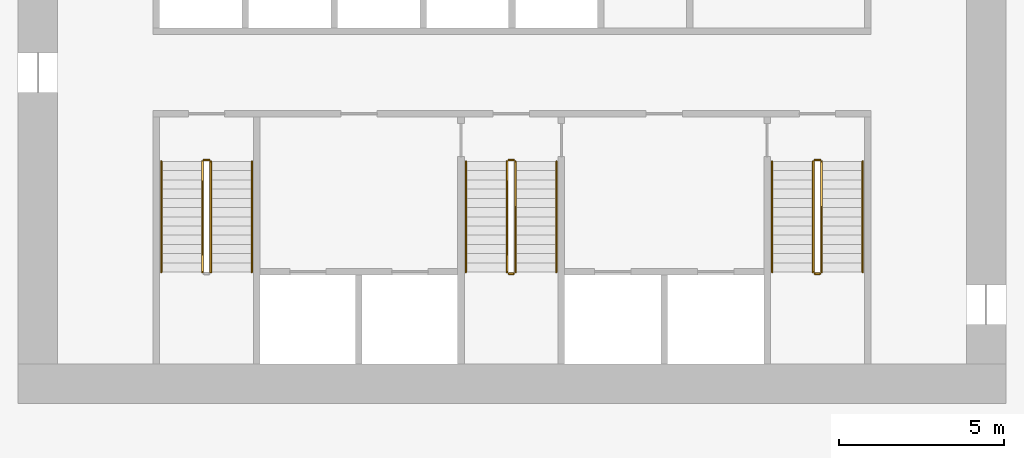
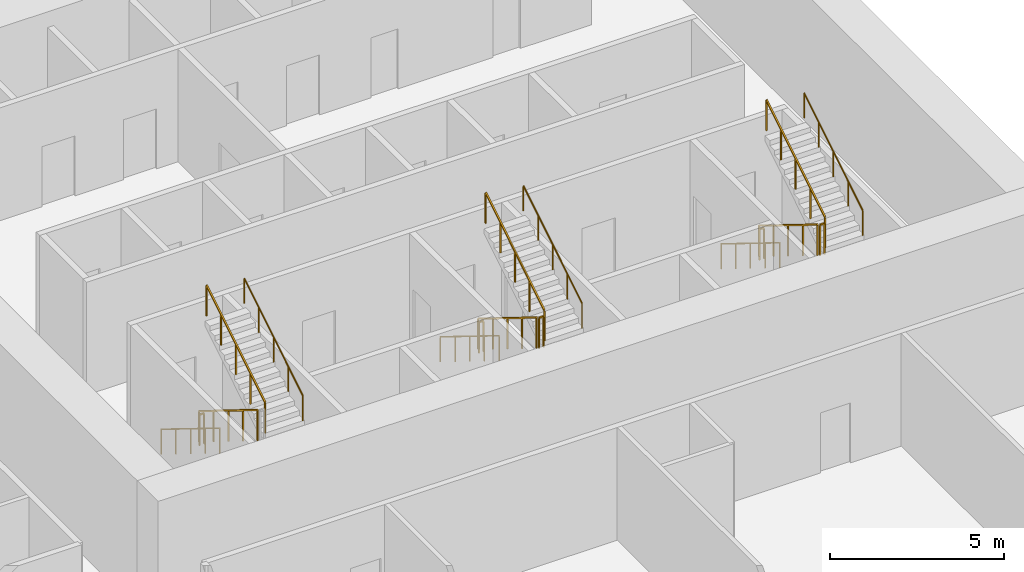
# One storey, part 11 of 12: 17 railings.
"""IFC4 building model written with IfcOpenShell, lengths in metres."""

import ifcopenshell
import ifcopenshell.guid

model = None  # the IFC model being written
_history = None  # IfcOwnerHistory: only IFC2X3 demands one
_inside = {}  # id of a spatial element -> (the spatial element, [elements in it])
_under = {}  # id of a project, library or spatial element -> (it, [spatial elements below it])
_declared = {}  # id of a project -> (the project, [libraries it declares])
_typed = {}  # id of a type object -> (the type object, [elements of that type])
_made_of = {}  # id of a material, layer set ... -> (it, [elements and type objects made of it])


def new_model(schema):
    """Start an empty IFC model of exactly this schema.

    Asked for "IFC4X3", IfcOpenShell would pick the latest addendum, in which some entities
    have other attributes; the version numbers below select the first issue.
    IFC2X3 requires an IfcOwnerHistory on every rooted entity: one is made here for all.
    """
    global model, _history
    if schema == "IFC4X3":
        model = ifcopenshell.file(schema_version=(4, 3, 0, 0))
    else:
        model = ifcopenshell.file(schema=schema)
    _inside.clear()
    _under.clear()
    _declared.clear()
    _typed.clear()
    _made_of.clear()
    _history = None
    if model.schema == "IFC2X3":
        org = make("IfcOrganization", Name="unknown")
        user = make(
            "IfcPersonAndOrganization",
            ThePerson=make("IfcPerson", FamilyName="unknown"),
            TheOrganization=org,
        )
        app = make(
            "IfcApplication",
            ApplicationDeveloper=org,
            Version="unknown",
            ApplicationFullName="unknown",
            ApplicationIdentifier="unknown",
        )
        _history = make(
            "IfcOwnerHistory",
            OwningUser=user,
            OwningApplication=app,
            ChangeAction="ADDED",
            CreationDate=0,
        )
    return model


def make(cls, **values):
    """One entity of the class cls with the attributes given. An attribute that is None is left unset."""
    return model.create_entity(
        cls, **{name: value for name, value in values.items() if value is not None}
    )


def rooted(cls, **values):
    """An entity with a GlobalId (a new one), such as an element, a storey or a relation."""
    return make(cls, GlobalId=ifcopenshell.guid.new(), OwnerHistory=_history, **values)


def si_unit(unit_type, name, prefix=None):
    """IfcSIUnit, for example si_unit("LENGTHUNIT", "METRE", prefix="MILLI")."""
    return make("IfcSIUnit", UnitType=unit_type, Prefix=prefix, Name=name)


def assignment(units):
    """IfcUnitAssignment: the units of a project."""
    return None if units is None else make("IfcUnitAssignment", Units=units)


def point(xyz):
    """IfcCartesianPoint."""
    return None if xyz is None else make("IfcCartesianPoint", Coordinates=xyz)


def direction(xyz):
    """IfcDirection."""
    return None if xyz is None else make("IfcDirection", DirectionRatios=xyz)


def frame(location, z_axis=None, x_axis=None):
    """IfcAxis2Placement3D, a coordinate frame: its origin and axes. An axis left out is left unset."""
    return make(
        "IfcAxis2Placement3D",
        Location=point(location),
        Axis=direction(z_axis),
        RefDirection=direction(x_axis),
    )


def frame_2d(location, x_axis=None):
    """IfcAxis2Placement2D, a coordinate frame in the plane: its origin and x axis."""
    return make(
        "IfcAxis2Placement2D", Location=point(location), RefDirection=direction(x_axis)
    )


def origin():
    """The frame at (0, 0, 0) with its axes left unset."""
    return frame((0.0, 0.0, 0.0))


def origin_2d():
    """The frame at (0, 0) in the plane with its x axis left unset."""
    return frame_2d((0.0, 0.0))


def place(relative_to, where):
    """IfcLocalPlacement: puts the frame where relative to a parent placement (None: the world)."""
    return make(
        "IfcLocalPlacement", PlacementRelTo=relative_to, RelativePlacement=where
    )


def context(
    kind, dimensions, precision=None, world=None, true_north=None, identifier=None
):
    """IfcGeometricRepresentationContext, for example the 3D "Model" context."""
    return make(
        "IfcGeometricRepresentationContext",
        ContextIdentifier=identifier,
        ContextType=kind,
        CoordinateSpaceDimension=dimensions,
        Precision=precision,
        WorldCoordinateSystem=world,
        TrueNorth=true_north,
    )


def subcontext(parent, identifier, kind, view, scale=None):
    """IfcGeometricRepresentationSubContext, for example "Body" below "Model"."""
    return make(
        "IfcGeometricRepresentationSubContext",
        ContextIdentifier=identifier,
        ContextType=kind,
        ParentContext=parent,
        TargetScale=scale,
        TargetView=view,
    )


def project(units=None, contexts=None):
    """IfcProject with its units and contexts."""
    return rooted(
        "IfcProject",
        Name="project",
        RepresentationContexts=contexts,
        UnitsInContext=assignment(units),
    )


def spatial(cls, under=None, at=None, **own):
    """A site, building, storey or space (cls), placed at a placement, below another one or the project."""
    s = rooted(cls, ObjectPlacement=at, **own)
    if under is not None:
        _under.setdefault(under.id(), (under, []))[1].append(s)
    return s


def profile(cls, at=None, kind="AREA", **sizes):
    """A parametric profile (cls). Its sizes go by their IFC names, for example OverallWidth=200.0."""
    return make(cls, ProfileType=kind, Position=at, **sizes)


def rectangle(**sizes):
    """IfcRectangleProfileDef."""
    return profile("IfcRectangleProfileDef", **sizes)


def circle(**sizes):
    """IfcCircleProfileDef."""
    return profile("IfcCircleProfileDef", **sizes)


def extrude(swept, where, along, depth):
    """IfcExtrudedAreaSolid: the profile swept, set in the frame where, extruded along a direction by depth."""
    return make(
        "IfcExtrudedAreaSolid",
        SweptArea=swept,
        Position=where,
        ExtrudedDirection=direction(along),
        Depth=depth,
    )


def shape(context_of_items, identifier, shape_type, items):
    """IfcShapeRepresentation: the items that make up one representation, for example the "Body"."""
    return make(
        "IfcShapeRepresentation",
        ContextOfItems=context_of_items,
        RepresentationIdentifier=identifier,
        RepresentationType=shape_type,
        Items=items,
    )


def material(Name=None, Category=None):
    """IfcMaterial."""
    return make("IfcMaterial", Name=Name, Category=Category)


def made_of(thing, what):
    """Note that an element or type object is made of a material, layer set ...; save() writes the relation."""
    if what is not None:
        _made_of.setdefault(what.id(), (what, []))[1].append(thing)
    return thing


def type_object(cls, material=None, **own):
    """A type object (cls), such as IfcWallType, which elements share."""
    return made_of(rooted(cls, **own), material)


def element(
    cls,
    number,
    at=None,
    inside=None,
    cuts=None,
    type_object=None,
    material=None,
    context=None,
    identifier="Body",
    shape_type=None,
    held_by="IfcProductDefinitionShape",
    body=None,
    shapes=None,
    **own,
):
    """One element of the class cls, such as IfcWall. Its Tag is "e" and its number.

    at: its placement. inside: the storey or other place that contains it. cuts: it is an
    opening in that element (IfcRelVoidsElement). A single representation is given by context,
    identifier, shape_type and body (its items); several are given by shapes. held_by: the class
    of the entity that holds the representations. save() writes the other relations.
    """
    e = rooted(cls, Tag="e%d" % number, ObjectPlacement=at, **own)
    if body is not None:
        shapes = [shape(context, identifier, shape_type, body)]
    if shapes is not None:
        e.Representation = make(held_by, Representations=shapes)
    if inside is not None:
        _inside.setdefault(inside.id(), (inside, []))[1].append(e)
    if cuts is not None:
        rooted(
            "IfcRelVoidsElement", RelatingBuildingElement=cuts, RelatedOpeningElement=e
        )
    if type_object is not None:
        _typed.setdefault(type_object.id(), (type_object, []))[1].append(e)
    return made_of(e, material)


def aggregate(whole, parts):
    """IfcRelAggregates: a whole, such as a stair, and the parts it consists of."""
    return rooted("IfcRelAggregates", RelatingObject=whole, RelatedObjects=parts)


def save(model, path):
    """Write the relations noted so far, then the file.

    IfcRelAggregates (storeys below a building ...), IfcRelContainedInSpatialStructure (elements
    in a storey), IfcRelDefinesByType, IfcRelAssociatesMaterial and IfcRelDeclares: one each for
    every whole, place, type object, material and project.
    """
    for whole, parts in _under.values():
        aggregate(whole, parts)
    for where, things in _inside.values():
        rooted(
            "IfcRelContainedInSpatialStructure",
            RelatedElements=things,
            RelatingStructure=where,
        )
    for kind, things in _typed.values():
        rooted("IfcRelDefinesByType", RelatedObjects=things, RelatingType=kind)
    for what, things in _made_of.values():
        rooted("IfcRelAssociatesMaterial", RelatedObjects=things, RelatingMaterial=what)
    for by, libraries in _declared.values():
        rooted("IfcRelDeclares", RelatingContext=by, RelatedDefinitions=libraries)
    model.write(path)


model = new_model("IFC4")

# Units and contexts
model_context = context("Model", 3, precision=1e-05, world=origin(), true_north=direction((0.0, 1.0)))
body_context = subcontext(model_context, "Body", "Model", "MODEL_VIEW")
ifc_project = project(units=[si_unit("LENGTHUNIT", "METRE"), si_unit("AREAUNIT", "SQUARE_METRE"), si_unit("VOLUMEUNIT", "CUBIC_METRE"), si_unit("PLANEANGLEUNIT", "RADIAN"), si_unit("MASSUNIT", "GRAM", prefix="KILO")], contexts=[model_context])

# Site, building, storey
site_placement = place(None, origin())
site = spatial("IfcSite", under=ifc_project, at=site_placement, CompositionType="ELEMENT")
building_placement = place(site_placement, origin())
building = spatial("IfcBuilding", under=site, at=building_placement, Name="Mangrove Gate Tower", CompositionType="ELEMENT")
storey_placement = place(building_placement, frame((0.0, 0.0, 25.0)))
storey = spatial("IfcBuildingStorey", under=building, at=storey_placement, Name="L05", CompositionType="ELEMENT", Elevation=25.0)

# Railings
ifc_material_1 = material(Name="Stainless steel 316", Category="steel")
railing_type_1 = type_object("IfcRailingType", Name="Core stair guard 1100", PredefinedType="GUARDRAIL", material=ifc_material_1)
railing_1_placement = place(storey_placement, frame((-9.39990234375, -4.64990234375, 0.173095703125)))
element("IfcRailing", 1, at=railing_1_placement, inside=storey, type_object=railing_type_1, Name="L05 ST1 stair guard 1", PredefinedType="GUARDRAIL", context=body_context, shape_type="SweptSolid", body=[
    extrude(rectangle(XDim=0.048095703125, YDim=0.048095703125, at=origin_2d()), frame((0.0, 0.0, 1.076171875), z_axis=(0.0, -0.850623216509, 0.525775754039), x_axis=(1.0, 0.0, 0.0)), (0.0, 0.0, 1.0), 3.9501953125),
    extrude(rectangle(XDim=0.0419921875, YDim=0.0419921875, at=origin_2d()), origin(), (0.0, 0.0, 1.0), 1.052001953125),
    extrude(rectangle(XDim=0.0419921875, YDim=0.0419921875, at=origin_2d()), frame((0.0, -0.840087890625, 0.519287109375)), (0.0, 0.0, 1.0), 1.052001953125),
    extrude(rectangle(XDim=0.0419921875, YDim=0.0419921875, at=origin_2d()), frame((0.0, -1.68017578125, 1.03857421875)), (0.0, 0.0, 1.0), 1.052001953125),
    extrude(rectangle(XDim=0.0419921875, YDim=0.0419921875, at=origin_2d()), frame((0.0, -2.52001953125, 1.5576171875)), (0.0, 0.0, 1.0), 1.052001953125),
    extrude(rectangle(XDim=0.0419921875, YDim=0.0419921875, at=origin_2d()), frame((0.0, -3.360107421875, 2.076904296875)), (0.0, 0.0, 1.0), 1.052001953125),
])
railing_2_placement = place(storey_placement, frame((-9.14990234375, -8.010009765625, 2.423095703125)))
element("IfcRailing", 2, at=railing_2_placement, inside=storey, type_object=railing_type_1, Name="L05 ST1 stair guard 3", PredefinedType="GUARDRAIL", context=body_context, shape_type="SweptSolid", body=[
    extrude(rectangle(XDim=0.048095703125, YDim=0.048095703125, at=origin_2d()), frame((0.0, 0.0, 1.076171875), z_axis=(0.0, 0.850623216509, 0.525775754039), x_axis=(-1.0, 0.0, 0.0)), (0.0, 0.0, 1.0), 3.9501953125),
    extrude(rectangle(XDim=0.0419921875, YDim=0.0419921875, at=origin_2d()), origin(), (0.0, 0.0, 1.0), 1.052001953125),
    extrude(rectangle(XDim=0.0419921875, YDim=0.0419921875, at=origin_2d()), frame((0.0, 0.840087890625, 0.519287109375)), (0.0, 0.0, 1.0), 1.052001953125),
    extrude(rectangle(XDim=0.0419921875, YDim=0.0419921875, at=origin_2d()), frame((0.0, 1.68017578125, 1.03857421875)), (0.0, 0.0, 1.0), 1.052001953125),
    extrude(rectangle(XDim=0.0419921875, YDim=0.0419921875, at=origin_2d()), frame((0.0, 2.52001953125, 1.5576171875)), (0.0, 0.0, 1.0), 1.052001953125),
    extrude(rectangle(XDim=0.0419921875, YDim=0.0419921875, at=origin_2d()), frame((0.0, 3.360107421875, 2.076904296875)), (0.0, 0.0, 1.0), 1.052001953125),
])
railing_3_placement = place(storey_placement, frame((-9.35009765625, -4.60009765625, 0.0)))
element("IfcRailing", 3, at=railing_3_placement, inside=storey, type_object=railing_type_1, Name="L05 ST1 stair guard 4", PredefinedType="GUARDRAIL", context=body_context, shape_type="SweptSolid", body=[
    extrude(rectangle(XDim=0.048095703125, YDim=0.048095703125, at=origin_2d()), frame((0.0, 0.0, 1.076171875), z_axis=(1.0, 0.0, 0.0), x_axis=(0.0, 1.0, 0.0)), (0.0, 0.0, 1.0), 0.150146484375),
    extrude(rectangle(XDim=0.0419921875, YDim=0.0419921875, at=origin_2d()), origin(), (0.0, 0.0, 1.0), 1.052001953125),
    extrude(rectangle(XDim=0.0419921875, YDim=0.0419921875, at=origin_2d()), frame((0.150146484375, 0.0, 0.0)), (0.0, 0.0, 1.0), 1.052001953125),
])
railing_4_placement = place(storey_placement, frame((-0.14990234375, -4.64990234375, 0.173095703125)))
element("IfcRailing", 4, at=railing_4_placement, inside=storey, type_object=railing_type_1, Name="L05 ST2 stair guard 1", PredefinedType="GUARDRAIL", context=body_context, shape_type="SweptSolid", body=[
    extrude(rectangle(XDim=0.048095703125, YDim=0.048095703125, at=origin_2d()), frame((0.0, 0.0, 1.076171875), z_axis=(0.0, -0.850623216509, 0.525775754039), x_axis=(1.0, 0.0, 0.0)), (0.0, 0.0, 1.0), 3.9501953125),
    extrude(rectangle(XDim=0.0419921875, YDim=0.0419921875, at=origin_2d()), origin(), (0.0, 0.0, 1.0), 1.052001953125),
    extrude(rectangle(XDim=0.0419921875, YDim=0.0419921875, at=origin_2d()), frame((0.0, -0.840087890625, 0.519287109375)), (0.0, 0.0, 1.0), 1.052001953125),
    extrude(rectangle(XDim=0.0419921875, YDim=0.0419921875, at=origin_2d()), frame((0.0, -1.68017578125, 1.03857421875)), (0.0, 0.0, 1.0), 1.052001953125),
    extrude(rectangle(XDim=0.0419921875, YDim=0.0419921875, at=origin_2d()), frame((0.0, -2.52001953125, 1.5576171875)), (0.0, 0.0, 1.0), 1.052001953125),
    extrude(rectangle(XDim=0.0419921875, YDim=0.0419921875, at=origin_2d()), frame((0.0, -3.360107421875, 2.076904296875)), (0.0, 0.0, 1.0), 1.052001953125),
])
railing_5_placement = place(storey_placement, frame((-0.10009765625, -8.06005859375, 2.25)))
element("IfcRailing", 5, at=railing_5_placement, inside=storey, type_object=railing_type_1, Name="L05 ST2 stair guard 2", PredefinedType="GUARDRAIL", context=body_context, shape_type="SweptSolid", body=[
    extrude(rectangle(XDim=0.048095703125, YDim=0.048095703125, at=origin_2d()), frame((0.0, 0.0, 1.076171875), z_axis=(1.0, 0.0, 0.0), x_axis=(0.0, 1.0, 0.0)), (0.0, 0.0, 1.0), 0.150146484375),
    extrude(rectangle(XDim=0.0419921875, YDim=0.0419921875, at=origin_2d()), origin(), (0.0, 0.0, 1.0), 1.052001953125),
    extrude(rectangle(XDim=0.0419921875, YDim=0.0419921875, at=origin_2d()), frame((0.150146484375, 0.0, 0.0)), (0.0, 0.0, 1.0), 1.052001953125),
])
railing_6_placement = place(storey_placement, frame((0.10009765625, -8.010009765625, 2.423095703125)))
element("IfcRailing", 6, at=railing_6_placement, inside=storey, type_object=railing_type_1, Name="L05 ST2 stair guard 3", PredefinedType="GUARDRAIL", context=body_context, shape_type="SweptSolid", body=[
    extrude(rectangle(XDim=0.048095703125, YDim=0.048095703125, at=origin_2d()), frame((0.0, 0.0, 1.076171875), z_axis=(0.0, 0.850623216509, 0.525775754039), x_axis=(-1.0, 0.0, 0.0)), (0.0, 0.0, 1.0), 3.9501953125),
    extrude(rectangle(XDim=0.0419921875, YDim=0.0419921875, at=origin_2d()), origin(), (0.0, 0.0, 1.0), 1.052001953125),
    extrude(rectangle(XDim=0.0419921875, YDim=0.0419921875, at=origin_2d()), frame((0.0, 0.840087890625, 0.519287109375)), (0.0, 0.0, 1.0), 1.052001953125),
    extrude(rectangle(XDim=0.0419921875, YDim=0.0419921875, at=origin_2d()), frame((0.0, 1.68017578125, 1.03857421875)), (0.0, 0.0, 1.0), 1.052001953125),
    extrude(rectangle(XDim=0.0419921875, YDim=0.0419921875, at=origin_2d()), frame((0.0, 2.52001953125, 1.5576171875)), (0.0, 0.0, 1.0), 1.052001953125),
    extrude(rectangle(XDim=0.0419921875, YDim=0.0419921875, at=origin_2d()), frame((0.0, 3.360107421875, 2.076904296875)), (0.0, 0.0, 1.0), 1.052001953125),
])
railing_7_placement = place(storey_placement, frame((-0.10009765625, -4.60009765625, 0.0)))
element("IfcRailing", 7, at=railing_7_placement, inside=storey, type_object=railing_type_1, Name="L05 ST2 stair guard 4", PredefinedType="GUARDRAIL", context=body_context, shape_type="SweptSolid", body=[
    extrude(rectangle(XDim=0.048095703125, YDim=0.048095703125, at=origin_2d()), frame((0.0, 0.0, 1.076171875), z_axis=(1.0, 0.0, 0.0), x_axis=(0.0, 1.0, 0.0)), (0.0, 0.0, 1.0), 0.150146484375),
    extrude(rectangle(XDim=0.0419921875, YDim=0.0419921875, at=origin_2d()), origin(), (0.0, 0.0, 1.0), 1.052001953125),
    extrude(rectangle(XDim=0.0419921875, YDim=0.0419921875, at=origin_2d()), frame((0.150146484375, 0.0, 0.0)), (0.0, 0.0, 1.0), 1.052001953125),
])
railing_8_placement = place(storey_placement, frame((9.14990234375, -4.64990234375, 0.173095703125)))
element("IfcRailing", 8, at=railing_8_placement, inside=storey, type_object=railing_type_1, Name="L05 ST3 stair guard 1", PredefinedType="GUARDRAIL", context=body_context, shape_type="SweptSolid", body=[
    extrude(rectangle(XDim=0.048095703125, YDim=0.048095703125, at=origin_2d()), frame((0.0, 0.0, 1.076171875), z_axis=(0.0, -0.850623216509, 0.525775754039), x_axis=(1.0, 0.0, 0.0)), (0.0, 0.0, 1.0), 3.9501953125),
    extrude(rectangle(XDim=0.0419921875, YDim=0.0419921875, at=origin_2d()), origin(), (0.0, 0.0, 1.0), 1.052001953125),
    extrude(rectangle(XDim=0.0419921875, YDim=0.0419921875, at=origin_2d()), frame((0.0, -0.840087890625, 0.519287109375)), (0.0, 0.0, 1.0), 1.052001953125),
    extrude(rectangle(XDim=0.0419921875, YDim=0.0419921875, at=origin_2d()), frame((0.0, -1.68017578125, 1.03857421875)), (0.0, 0.0, 1.0), 1.052001953125),
    extrude(rectangle(XDim=0.0419921875, YDim=0.0419921875, at=origin_2d()), frame((0.0, -2.52001953125, 1.5576171875)), (0.0, 0.0, 1.0), 1.052001953125),
    extrude(rectangle(XDim=0.0419921875, YDim=0.0419921875, at=origin_2d()), frame((0.0, -3.360107421875, 2.076904296875)), (0.0, 0.0, 1.0), 1.052001953125),
])
railing_9_placement = place(storey_placement, frame((9.199951171875, -8.06005859375, 2.25)))
element("IfcRailing", 9, at=railing_9_placement, inside=storey, type_object=railing_type_1, Name="L05 ST3 stair guard 2", PredefinedType="GUARDRAIL", context=body_context, shape_type="SweptSolid", body=[
    extrude(rectangle(XDim=0.048095703125, YDim=0.048095703125, at=origin_2d()), frame((0.0, 0.0, 1.076171875), z_axis=(1.0, 0.0, 0.0), x_axis=(0.0, 1.0, 0.0)), (0.0, 0.0, 1.0), 0.150146484375),
    extrude(rectangle(XDim=0.0419921875, YDim=0.0419921875, at=origin_2d()), origin(), (0.0, 0.0, 1.0), 1.052001953125),
    extrude(rectangle(XDim=0.0419921875, YDim=0.0419921875, at=origin_2d()), frame((0.150146484375, 0.0, 0.0)), (0.0, 0.0, 1.0), 1.052001953125),
])
railing_10_placement = place(storey_placement, frame((9.39990234375, -8.010009765625, 2.423095703125)))
element("IfcRailing", 10, at=railing_10_placement, inside=storey, type_object=railing_type_1, Name="L05 ST3 stair guard 3", PredefinedType="GUARDRAIL", context=body_context, shape_type="SweptSolid", body=[
    extrude(rectangle(XDim=0.048095703125, YDim=0.048095703125, at=origin_2d()), frame((0.0, 0.0, 1.076171875), z_axis=(0.0, 0.850623216509, 0.525775754039), x_axis=(-1.0, 0.0, 0.0)), (0.0, 0.0, 1.0), 3.9501953125),
    extrude(rectangle(XDim=0.0419921875, YDim=0.0419921875, at=origin_2d()), origin(), (0.0, 0.0, 1.0), 1.052001953125),
    extrude(rectangle(XDim=0.0419921875, YDim=0.0419921875, at=origin_2d()), frame((0.0, 0.840087890625, 0.519287109375)), (0.0, 0.0, 1.0), 1.052001953125),
    extrude(rectangle(XDim=0.0419921875, YDim=0.0419921875, at=origin_2d()), frame((0.0, 1.68017578125, 1.03857421875)), (0.0, 0.0, 1.0), 1.052001953125),
    extrude(rectangle(XDim=0.0419921875, YDim=0.0419921875, at=origin_2d()), frame((0.0, 2.52001953125, 1.5576171875)), (0.0, 0.0, 1.0), 1.052001953125),
    extrude(rectangle(XDim=0.0419921875, YDim=0.0419921875, at=origin_2d()), frame((0.0, 3.360107421875, 2.076904296875)), (0.0, 0.0, 1.0), 1.052001953125),
])
railing_11_placement = place(storey_placement, frame((9.199951171875, -4.60009765625, 0.0)))
element("IfcRailing", 11, at=railing_11_placement, inside=storey, type_object=railing_type_1, Name="L05 ST3 stair guard 4", PredefinedType="GUARDRAIL", context=body_context, shape_type="SweptSolid", body=[
    extrude(rectangle(XDim=0.048095703125, YDim=0.048095703125, at=origin_2d()), frame((0.0, 0.0, 1.076171875), z_axis=(1.0, 0.0, 0.0), x_axis=(0.0, 1.0, 0.0)), (0.0, 0.0, 1.0), 0.150146484375),
    extrude(rectangle(XDim=0.0419921875, YDim=0.0419921875, at=origin_2d()), origin(), (0.0, 0.0, 1.0), 1.052001953125),
    extrude(rectangle(XDim=0.0419921875, YDim=0.0419921875, at=origin_2d()), frame((0.150146484375, 0.0, 0.0)), (0.0, 0.0, 1.0), 1.052001953125),
])
ifc_material_2 = material(Name="Stainless steel 316", Category="steel")
railing_type_2 = type_object("IfcRailingType", Name="Core stair handrail 900", PredefinedType="HANDRAIL", material=ifc_material_2)
railing_12_placement = place(storey_placement, frame((-10.64990234375, -4.64990234375, 0.173095703125)))
element("IfcRailing", 12, at=railing_12_placement, inside=storey, type_object=railing_type_2, Name="L05 ST1 stair handrail 1", PredefinedType="HANDRAIL", context=body_context, shape_type="SweptSolid", body=[
    extrude(circle(Radius=0.02392578125, at=origin_2d()), frame((0.0, 0.0, 0.8759765625), z_axis=(0.0, -0.850623216509, 0.525775754039), x_axis=(1.0, 0.0, 0.0)), (0.0, 0.0, 1.0), 3.9501953125),
    extrude(circle(Radius=0.02099609375, at=origin_2d()), origin(), (0.0, 0.0, 1.0), 0.851806640625),
    extrude(circle(Radius=0.02099609375, at=origin_2d()), frame((0.0, -0.840087890625, 0.519287109375)), (0.0, 0.0, 1.0), 0.851806640625),
    extrude(circle(Radius=0.02099609375, at=origin_2d()), frame((0.0, -1.68017578125, 1.03857421875)), (0.0, 0.0, 1.0), 0.851806640625),
    extrude(circle(Radius=0.02099609375, at=origin_2d()), frame((0.0, -2.52001953125, 1.5576171875)), (0.0, 0.0, 1.0), 0.851806640625),
    extrude(circle(Radius=0.02099609375, at=origin_2d()), frame((0.0, -3.360107421875, 2.076904296875)), (0.0, 0.0, 1.0), 0.851806640625),
])
railing_13_placement = place(storey_placement, frame((-7.89990234375, -8.010009765625, 2.423095703125)))
element("IfcRailing", 13, at=railing_13_placement, inside=storey, type_object=railing_type_2, Name="L05 ST1 stair handrail 2", PredefinedType="HANDRAIL", context=body_context, shape_type="SweptSolid", body=[
    extrude(circle(Radius=0.02392578125, at=origin_2d()), frame((0.0, 0.0, 0.8759765625), z_axis=(0.0, 0.850623216509, 0.525775754039), x_axis=(-1.0, 0.0, 0.0)), (0.0, 0.0, 1.0), 3.9501953125),
    extrude(circle(Radius=0.02099609375, at=origin_2d()), origin(), (0.0, 0.0, 1.0), 0.851806640625),
    extrude(circle(Radius=0.02099609375, at=origin_2d()), frame((0.0, 0.840087890625, 0.519287109375)), (0.0, 0.0, 1.0), 0.851806640625),
    extrude(circle(Radius=0.02099609375, at=origin_2d()), frame((0.0, 1.68017578125, 1.03857421875)), (0.0, 0.0, 1.0), 0.851806640625),
    extrude(circle(Radius=0.02099609375, at=origin_2d()), frame((0.0, 2.52001953125, 1.5576171875)), (0.0, 0.0, 1.0), 0.851806640625),
    extrude(circle(Radius=0.02099609375, at=origin_2d()), frame((0.0, 3.360107421875, 2.076904296875)), (0.0, 0.0, 1.0), 0.851806640625),
])
railing_14_placement = place(storey_placement, frame((-1.39990234375, -4.64990234375, 0.173095703125)))
element("IfcRailing", 14, at=railing_14_placement, inside=storey, type_object=railing_type_2, Name="L05 ST2 stair handrail 1", PredefinedType="HANDRAIL", context=body_context, shape_type="SweptSolid", body=[
    extrude(circle(Radius=0.02392578125, at=origin_2d()), frame((0.0, 0.0, 0.8759765625), z_axis=(0.0, -0.850623216509, 0.525775754039), x_axis=(1.0, 0.0, 0.0)), (0.0, 0.0, 1.0), 3.9501953125),
    extrude(circle(Radius=0.02099609375, at=origin_2d()), origin(), (0.0, 0.0, 1.0), 0.851806640625),
    extrude(circle(Radius=0.02099609375, at=origin_2d()), frame((0.0, -0.840087890625, 0.519287109375)), (0.0, 0.0, 1.0), 0.851806640625),
    extrude(circle(Radius=0.02099609375, at=origin_2d()), frame((0.0, -1.68017578125, 1.03857421875)), (0.0, 0.0, 1.0), 0.851806640625),
    extrude(circle(Radius=0.02099609375, at=origin_2d()), frame((0.0, -2.52001953125, 1.5576171875)), (0.0, 0.0, 1.0), 0.851806640625),
    extrude(circle(Radius=0.02099609375, at=origin_2d()), frame((0.0, -3.360107421875, 2.076904296875)), (0.0, 0.0, 1.0), 0.851806640625),
])
railing_15_placement = place(storey_placement, frame((1.35009765625, -8.010009765625, 2.423095703125)))
element("IfcRailing", 15, at=railing_15_placement, inside=storey, type_object=railing_type_2, Name="L05 ST2 stair handrail 2", PredefinedType="HANDRAIL", context=body_context, shape_type="SweptSolid", body=[
    extrude(circle(Radius=0.02392578125, at=origin_2d()), frame((0.0, 0.0, 0.8759765625), z_axis=(0.0, 0.850623216509, 0.525775754039), x_axis=(-1.0, 0.0, 0.0)), (0.0, 0.0, 1.0), 3.9501953125),
    extrude(circle(Radius=0.02099609375, at=origin_2d()), origin(), (0.0, 0.0, 1.0), 0.851806640625),
    extrude(circle(Radius=0.02099609375, at=origin_2d()), frame((0.0, 0.840087890625, 0.519287109375)), (0.0, 0.0, 1.0), 0.851806640625),
    extrude(circle(Radius=0.02099609375, at=origin_2d()), frame((0.0, 1.68017578125, 1.03857421875)), (0.0, 0.0, 1.0), 0.851806640625),
    extrude(circle(Radius=0.02099609375, at=origin_2d()), frame((0.0, 2.52001953125, 1.5576171875)), (0.0, 0.0, 1.0), 0.851806640625),
    extrude(circle(Radius=0.02099609375, at=origin_2d()), frame((0.0, 3.360107421875, 2.076904296875)), (0.0, 0.0, 1.0), 0.851806640625),
])
railing_16_placement = place(storey_placement, frame((7.89990234375, -4.64990234375, 0.173095703125)))
element("IfcRailing", 16, at=railing_16_placement, inside=storey, type_object=railing_type_2, Name="L05 ST3 stair handrail 1", PredefinedType="HANDRAIL", context=body_context, shape_type="SweptSolid", body=[
    extrude(circle(Radius=0.02392578125, at=origin_2d()), frame((0.0, 0.0, 0.8759765625), z_axis=(0.0, -0.850623216509, 0.525775754039), x_axis=(1.0, 0.0, 0.0)), (0.0, 0.0, 1.0), 3.9501953125),
    extrude(circle(Radius=0.02099609375, at=origin_2d()), origin(), (0.0, 0.0, 1.0), 0.851806640625),
    extrude(circle(Radius=0.02099609375, at=origin_2d()), frame((0.0, -0.840087890625, 0.519287109375)), (0.0, 0.0, 1.0), 0.851806640625),
    extrude(circle(Radius=0.02099609375, at=origin_2d()), frame((0.0, -1.68017578125, 1.03857421875)), (0.0, 0.0, 1.0), 0.851806640625),
    extrude(circle(Radius=0.02099609375, at=origin_2d()), frame((0.0, -2.52001953125, 1.5576171875)), (0.0, 0.0, 1.0), 0.851806640625),
    extrude(circle(Radius=0.02099609375, at=origin_2d()), frame((0.0, -3.360107421875, 2.076904296875)), (0.0, 0.0, 1.0), 0.851806640625),
])
railing_17_placement = place(storey_placement, frame((10.64990234375, -8.010009765625, 2.423095703125)))
element("IfcRailing", 17, at=railing_17_placement, inside=storey, type_object=railing_type_2, Name="L05 ST3 stair handrail 2", PredefinedType="HANDRAIL", context=body_context, shape_type="SweptSolid", body=[
    extrude(circle(Radius=0.02392578125, at=origin_2d()), frame((0.0, 0.0, 0.8759765625), z_axis=(0.0, 0.850623216509, 0.525775754039), x_axis=(-1.0, 0.0, 0.0)), (0.0, 0.0, 1.0), 3.9501953125),
    extrude(circle(Radius=0.02099609375, at=origin_2d()), origin(), (0.0, 0.0, 1.0), 0.851806640625),
    extrude(circle(Radius=0.02099609375, at=origin_2d()), frame((0.0, 0.840087890625, 0.519287109375)), (0.0, 0.0, 1.0), 0.851806640625),
    extrude(circle(Radius=0.02099609375, at=origin_2d()), frame((0.0, 1.68017578125, 1.03857421875)), (0.0, 0.0, 1.0), 0.851806640625),
    extrude(circle(Radius=0.02099609375, at=origin_2d()), frame((0.0, 2.52001953125, 1.5576171875)), (0.0, 0.0, 1.0), 0.851806640625),
    extrude(circle(Radius=0.02099609375, at=origin_2d()), frame((0.0, 3.360107421875, 2.076904296875)), (0.0, 0.0, 1.0), 0.851806640625),
])

save(model, "model.ifc")
